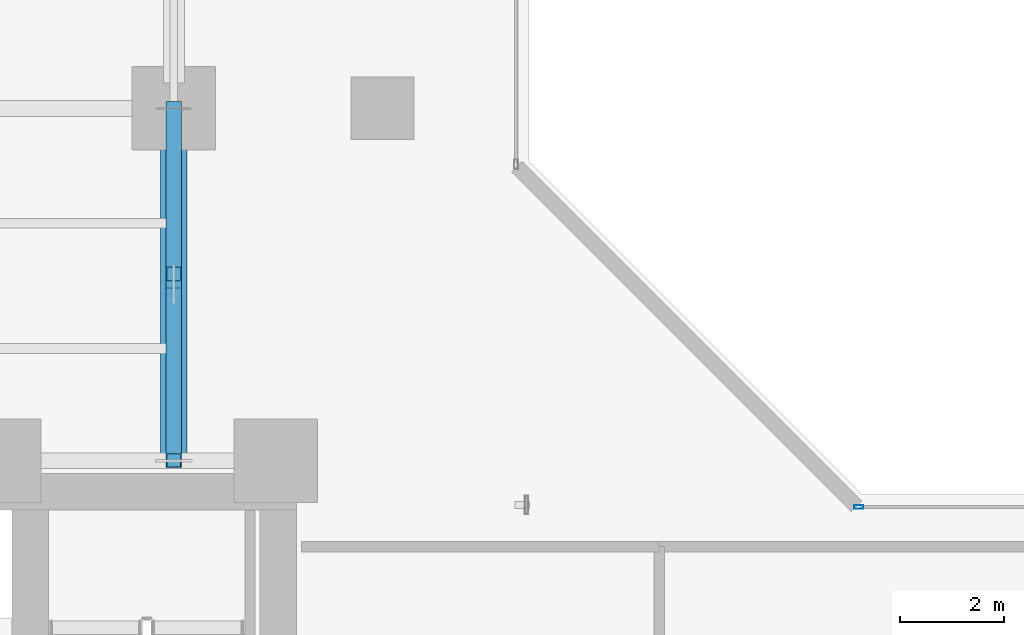
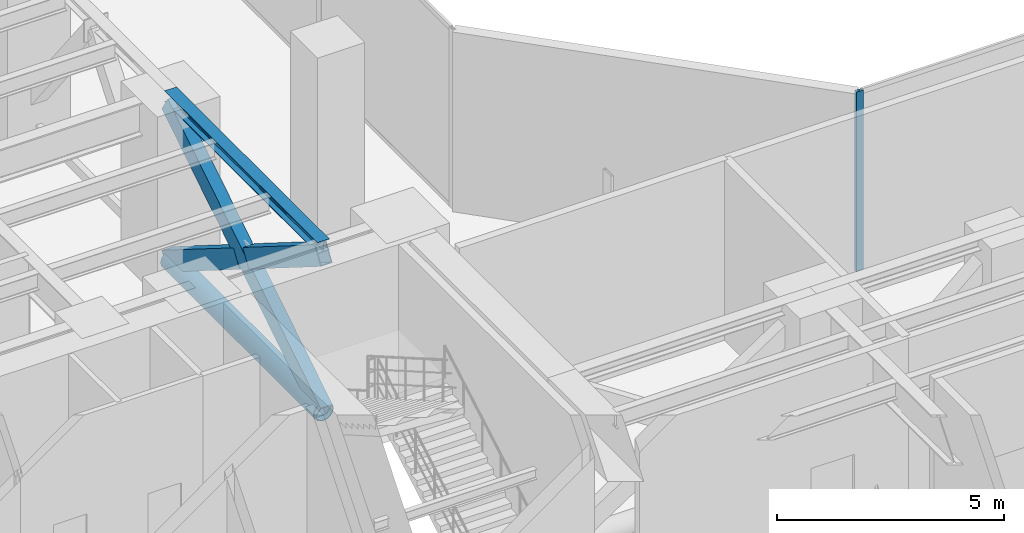
# One storey, part 11 of 36: 5 members, 1 beam, 1 element without a shape of its own.
"""IFC4 building model written with IfcOpenShell, lengths in metres."""

from ifc_helpers import new_model, si_unit, direction, frame, origin, origin_with_axes, origin_2d, place, context, subcontext, project, spatial, hollow_rectangle, hollow_circle, i_section, extrude, source, transform, mapped, material, layer, layer_set, material_profile, profile_set, type_object, element, aggregate, save


model = new_model("IFC4")

# Units and contexts
model_context = context("Model", 3, precision=1e-05, world=origin(), true_north=direction((0.0, 1.0)))
body_context = subcontext(model_context, "Body", "Model", "MODEL_VIEW")
ifc_project = project(units=[si_unit("LENGTHUNIT", "METRE"), si_unit("AREAUNIT", "SQUARE_METRE"), si_unit("VOLUMEUNIT", "CUBIC_METRE"), si_unit("PLANEANGLEUNIT", "RADIAN"), si_unit("MASSUNIT", "GRAM", prefix="KILO")], contexts=[model_context])

# Site, building, storey
site_placement = place(None, origin())
site = spatial("IfcSite", under=ifc_project, at=site_placement, CompositionType="ELEMENT")
building_placement = place(site_placement, origin())
building = spatial("IfcBuilding", under=site, at=building_placement, Name="Kolvaren Waterfront Exchange", CompositionType="ELEMENT")
storey_placement = place(building_placement, frame((0.0, 0.0, 82.800048828125)))
storey = spatial("IfcBuildingStorey", under=building, at=storey_placement, Name="L21", CompositionType="ELEMENT", Elevation=82.800048828125)

# Beam
ifc_material_1 = material(Name="Steel S355", Category="steel")
ifc_material_profile_1 = material_profile(ifc_material_1, i_section(OverallWidth=0.300048828125, OverallDepth=0.300048828125, WebThickness=0.010986328125, FlangeThickness=0.01904296875, FilletRadius=0.027099609375, at=origin_2d()), Name="HEB300")
ifc_profile_set_1 = profile_set([ifc_material_profile_1], Name="Steel S355")
beam_type = type_object("IfcBeamType", Name="STR-BM-HEB300", PredefinedType="SPANDREL", material=ifc_profile_set_1)
beam_placement = place(storey_placement, frame((18.800048828125, 24.449951171875, 4.68994140625), z_axis=(0.0, 1.0, 0.0), x_axis=(-1.0, 0.0, 0.0)))
element("IfcBeam", 1, at=beam_placement, inside=storey, type_object=beam_type, Name="L21 north-arm edge beam 1", PredefinedType="SPANDREL", context=body_context, shape_type="SweptSolid", body=[
    extrude(i_section(OverallWidth=0.300048828125, OverallDepth=0.300048828125, WebThickness=0.010986328125, FlangeThickness=0.01904296875, FilletRadius=0.027099609375, at=origin_2d()), origin(), (0.0, 0.0, 1.0), 6.75),
])

# Members
ifc_material_2 = material(Name="Steel S460", Category="steel")
ifc_material_profile_2 = material_profile(ifc_material_2, hollow_circle(Radius=0.25390625, WallThickness=0.02001953125, at=origin_2d()), Name="CHS508x20")
ifc_profile_set_2 = profile_set([ifc_material_profile_2], Name="Steel S460")
member_type_1 = type_object("IfcMemberType", Name="STR-BR-CHS508", PredefinedType="CHORD", material=ifc_profile_set_2)
member_1_placement = place(storey_placement, frame((18.800048828125, 24.449951171875, 0.25), z_axis=(0.0, 1.0, 0.0), x_axis=(-1.0, 0.0, 0.0)))
element("IfcMember", 2, at=member_1_placement, inside=storey, type_object=member_type_1, Name="L21 outrigger bottom chord OA4", PredefinedType="CHORD", context=body_context, shape_type="SweptSolid", body=[
    extrude(hollow_circle(Radius=0.25390625, WallThickness=0.02001953125, at=origin_2d()), origin(), (0.0, 0.0, 1.0), 6.75),
])
ifc_material_profile_3 = material_profile(ifc_material_2, hollow_rectangle(XDim=0.300048828125, YDim=0.5, WallThickness=0.02001953125, at=origin_2d()), Name="RHS500x300x20")
ifc_profile_set_3 = profile_set([ifc_material_profile_3], Name="Steel S460")
member_type_2 = type_object("IfcMemberType", Name="STR-BR-RHS500", PredefinedType="BRACE", material=ifc_profile_set_3)
member_2_placement = place(storey_placement, frame((18.800048828125, 24.449951171875, 0.25), z_axis=(0.0, 0.846798556152, 0.531913719788), x_axis=(-1.0, 0.0, 0.0)))
element("IfcMember", 3, at=member_2_placement, inside=storey, type_object=member_type_2, Name="L21 outrigger diagonal OA4.1", PredefinedType="BRACE", context=body_context, shape_type="SweptSolid", body=[
    extrude(hollow_rectangle(XDim=0.300048828125, YDim=0.5, WallThickness=0.02001953125, at=origin_2d()), origin(), (0.0, 0.0, 1.0), 7.97119140625),
])
member_3_placement = place(storey_placement, frame((18.800048828125, 31.199951171875, 0.25), z_axis=(0.0, -0.846806007684, 0.531901856878), x_axis=(1.0, 0.0, 0.0)))
element("IfcMember", 4, at=member_3_placement, inside=storey, type_object=member_type_2, Name="L21 outrigger split diagonal OA4.2A", PredefinedType="BRACE", context=body_context, shape_type="SweptSolid", body=[
    extrude(hollow_rectangle(XDim=0.300048828125, YDim=0.5, WallThickness=0.02001953125, at=origin_2d()), origin(), (0.0, 0.0, 1.0), 3.745361328125),
])
member_4_placement = place(storey_placement, frame((18.800048828125, 27.621826171875, 2.49755859375), z_axis=(0.0, -0.846795090282, 0.531919237361), x_axis=(1.0, 0.0, 0.0)))
element("IfcMember", 5, at=member_4_placement, inside=storey, type_object=member_type_2, Name="L21 outrigger split diagonal OA4.2B", PredefinedType="BRACE", context=body_context, shape_type="SweptSolid", body=[
    extrude(hollow_rectangle(XDim=0.300048828125, YDim=0.5, WallThickness=0.02001953125, at=origin_2d()), origin(), (0.0, 0.0, 1.0), 3.745849609375),
])

# Curtain wall, member
ifc_material_3 = material(Name="Anodised dark bronze spandrel aluminium", Category="aluminium")
ifc_layer = layer(ifc_material_3, 0.219970703125, Name="Anodised dark bronze spandrel aluminium")
ifc_layer_set = layer_set([ifc_layer], Name="Anodised dark bronze spandrel aluminium")
curtain_wall_type = type_object("IfcCurtainWallType", Name="ARC-CW-SYS6", PredefinedType="USERDEFINED", material=ifc_layer_set)
curtain_wall_placement = place(storey_placement, origin())
curtain_wall = element("IfcCurtainWall", 6, at=curtain_wall_placement, inside=storey, type_object=curtain_wall_type, Name="L21 stick curtain wall CW6 (CW-L21-EN)", ObjectType="STICK CURTAIN WALL", PredefinedType="USERDEFINED")
ifc_material_4 = material(Name="Anodised bronze aluminium 6063-T6", Category="aluminium")
ifc_material_profile_4 = material_profile(ifc_material_4, hollow_rectangle(XDim=0.074951171875, YDim=0.179931640625, WallThickness=0.00439453125, at=origin_2d()), Name="ALU-MUL-180x75x4.5")
ifc_profile_set_4 = profile_set([ifc_material_profile_4], Name="Anodised bronze aluminium 6063-T6")
member_type_3 = type_object("IfcMemberType", Name="ARC-CWM-180", PredefinedType="MULLION", material=ifc_profile_set_4)
shared_shape = source(origin_with_axes(), body_context, "Body", "SweptSolid", [
    extrude(hollow_rectangle(XDim=0.074951171875, YDim=0.179931640625, WallThickness=0.00439453125, at=origin_2d()), origin(), (0.0, 0.0, 1.0), 4.83984375),
])
member_5_placement = place(storey_placement, frame((31.927490234375, 23.56005859375, 0.0), z_axis=(0.0, 0.0, 1.0), x_axis=(0.0, 1.0, 0.0)))
member_5 = element("IfcMember", 7, at=member_5_placement, type_object=member_type_3, Name="CW6 mullion 1", PredefinedType="MULLION", context=body_context, shape_type="MappedRepresentation", body=[
    mapped(shared_shape, transform((0.0, 0.0, 0.0), x_axis=(1.0, 0.0, 0.0), y_axis=(0.0, 1.0, 0.0), z_axis=(0.0, 0.0, 1.0), scale=1.0)),
])
aggregate(curtain_wall, [member_5])

save(model, "model.ifc")
